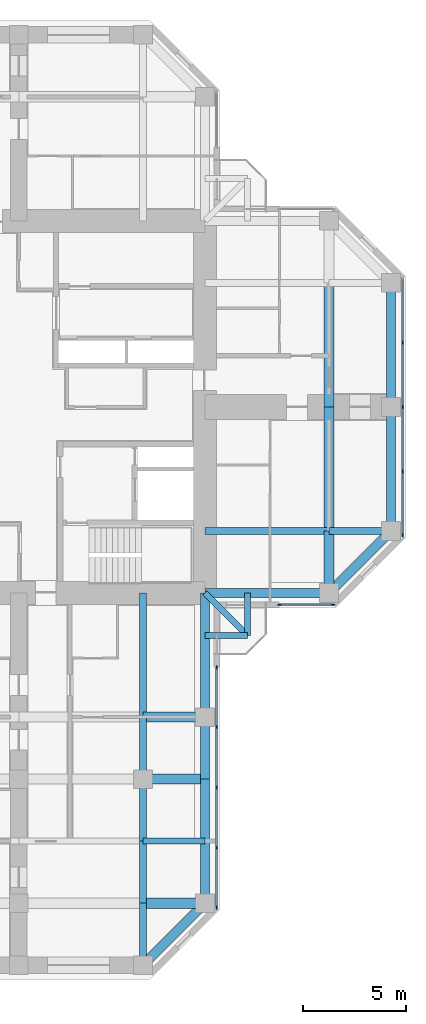
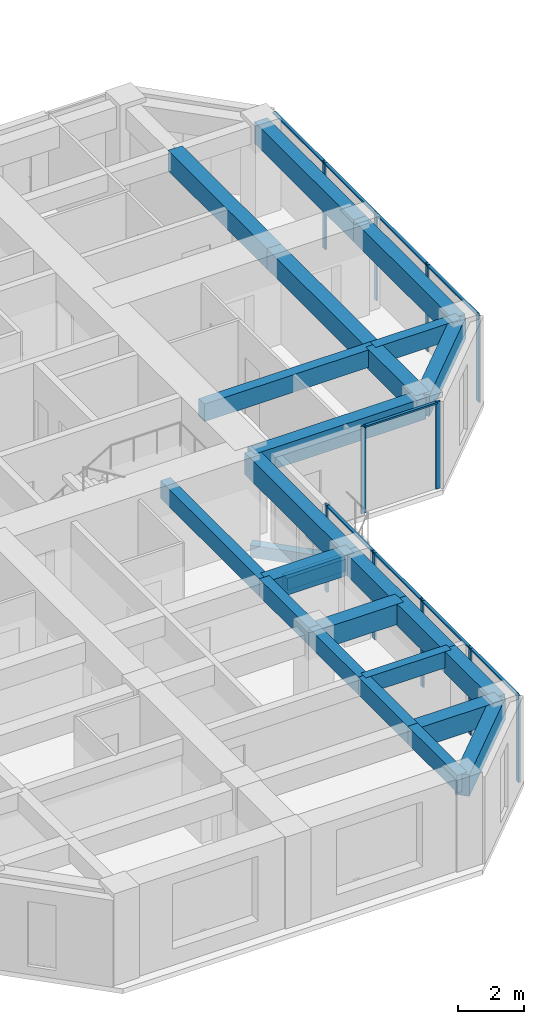
# One storey, part 4 of 14: 26 beams, 20 members, 3 elements without a shape of their own.
"""IFC4 building model written with IfcOpenShell, lengths in metres."""

import ifcopenshell
import ifcopenshell.guid

model = None  # the IFC model being written
_history = None  # IfcOwnerHistory: only IFC2X3 demands one
_inside = {}  # id of a spatial element -> (the spatial element, [elements in it])
_under = {}  # id of a project, library or spatial element -> (it, [spatial elements below it])
_declared = {}  # id of a project -> (the project, [libraries it declares])
_typed = {}  # id of a type object -> (the type object, [elements of that type])
_made_of = {}  # id of a material, layer set ... -> (it, [elements and type objects made of it])


def new_model(schema):
    """Start an empty IFC model of exactly this schema.

    Asked for "IFC4X3", IfcOpenShell would pick the latest addendum, in which some entities
    have other attributes; the version numbers below select the first issue.
    IFC2X3 requires an IfcOwnerHistory on every rooted entity: one is made here for all.
    """
    global model, _history
    if schema == "IFC4X3":
        model = ifcopenshell.file(schema_version=(4, 3, 0, 0))
    else:
        model = ifcopenshell.file(schema=schema)
    _inside.clear()
    _under.clear()
    _declared.clear()
    _typed.clear()
    _made_of.clear()
    _history = None
    if model.schema == "IFC2X3":
        org = make("IfcOrganization", Name="unknown")
        user = make(
            "IfcPersonAndOrganization",
            ThePerson=make("IfcPerson", FamilyName="unknown"),
            TheOrganization=org,
        )
        app = make(
            "IfcApplication",
            ApplicationDeveloper=org,
            Version="unknown",
            ApplicationFullName="unknown",
            ApplicationIdentifier="unknown",
        )
        _history = make(
            "IfcOwnerHistory",
            OwningUser=user,
            OwningApplication=app,
            ChangeAction="ADDED",
            CreationDate=0,
        )
    return model


def make(cls, **values):
    """One entity of the class cls with the attributes given. An attribute that is None is left unset."""
    return model.create_entity(
        cls, **{name: value for name, value in values.items() if value is not None}
    )


def rooted(cls, **values):
    """An entity with a GlobalId (a new one), such as an element, a storey or a relation."""
    return make(cls, GlobalId=ifcopenshell.guid.new(), OwnerHistory=_history, **values)


def si_unit(unit_type, name, prefix=None):
    """IfcSIUnit, for example si_unit("LENGTHUNIT", "METRE", prefix="MILLI")."""
    return make("IfcSIUnit", UnitType=unit_type, Prefix=prefix, Name=name)


def assignment(units):
    """IfcUnitAssignment: the units of a project."""
    return None if units is None else make("IfcUnitAssignment", Units=units)


def point(xyz):
    """IfcCartesianPoint."""
    return None if xyz is None else make("IfcCartesianPoint", Coordinates=xyz)


def direction(xyz):
    """IfcDirection."""
    return None if xyz is None else make("IfcDirection", DirectionRatios=xyz)


def frame(location, z_axis=None, x_axis=None):
    """IfcAxis2Placement3D, a coordinate frame: its origin and axes. An axis left out is left unset."""
    return make(
        "IfcAxis2Placement3D",
        Location=point(location),
        Axis=direction(z_axis),
        RefDirection=direction(x_axis),
    )


def frame_2d(location, x_axis=None):
    """IfcAxis2Placement2D, a coordinate frame in the plane: its origin and x axis."""
    return make(
        "IfcAxis2Placement2D", Location=point(location), RefDirection=direction(x_axis)
    )


def origin():
    """The frame at (0, 0, 0) with its axes left unset."""
    return frame((0.0, 0.0, 0.0))


def origin_2d():
    """The frame at (0, 0) in the plane with its x axis left unset."""
    return frame_2d((0.0, 0.0))


def place(relative_to, where):
    """IfcLocalPlacement: puts the frame where relative to a parent placement (None: the world)."""
    return make(
        "IfcLocalPlacement", PlacementRelTo=relative_to, RelativePlacement=where
    )


def context(
    kind, dimensions, precision=None, world=None, true_north=None, identifier=None
):
    """IfcGeometricRepresentationContext, for example the 3D "Model" context."""
    return make(
        "IfcGeometricRepresentationContext",
        ContextIdentifier=identifier,
        ContextType=kind,
        CoordinateSpaceDimension=dimensions,
        Precision=precision,
        WorldCoordinateSystem=world,
        TrueNorth=true_north,
    )


def subcontext(parent, identifier, kind, view, scale=None):
    """IfcGeometricRepresentationSubContext, for example "Body" below "Model"."""
    return make(
        "IfcGeometricRepresentationSubContext",
        ContextIdentifier=identifier,
        ContextType=kind,
        ParentContext=parent,
        TargetScale=scale,
        TargetView=view,
    )


def project(units=None, contexts=None):
    """IfcProject with its units and contexts."""
    return rooted(
        "IfcProject",
        Name="project",
        RepresentationContexts=contexts,
        UnitsInContext=assignment(units),
    )


def spatial(cls, under=None, at=None, **own):
    """A site, building, storey or space (cls), placed at a placement, below another one or the project."""
    s = rooted(cls, ObjectPlacement=at, **own)
    if under is not None:
        _under.setdefault(under.id(), (under, []))[1].append(s)
    return s


def profile(cls, at=None, kind="AREA", **sizes):
    """A parametric profile (cls). Its sizes go by their IFC names, for example OverallWidth=200.0."""
    return make(cls, ProfileType=kind, Position=at, **sizes)


def rectangle(**sizes):
    """IfcRectangleProfileDef."""
    return profile("IfcRectangleProfileDef", **sizes)


def extrude(swept, where, along, depth):
    """IfcExtrudedAreaSolid: the profile swept, set in the frame where, extruded along a direction by depth."""
    return make(
        "IfcExtrudedAreaSolid",
        SweptArea=swept,
        Position=where,
        ExtrudedDirection=direction(along),
        Depth=depth,
    )


def shape(context_of_items, identifier, shape_type, items):
    """IfcShapeRepresentation: the items that make up one representation, for example the "Body"."""
    return make(
        "IfcShapeRepresentation",
        ContextOfItems=context_of_items,
        RepresentationIdentifier=identifier,
        RepresentationType=shape_type,
        Items=items,
    )


def material(Name=None, Category=None):
    """IfcMaterial."""
    return make("IfcMaterial", Name=Name, Category=Category)


def material_profile(
    of_material, cross_section, Name=None, Category=None, Priority=None
):
    """IfcMaterialProfile: a cross section and its material."""
    return make(
        "IfcMaterialProfile",
        Name=Name,
        Material=of_material,
        Profile=cross_section,
        Priority=Priority,
        Category=Category,
    )


def profile_set(profiles, Name=None, composite=None):
    """IfcMaterialProfileSet."""
    return make(
        "IfcMaterialProfileSet",
        Name=Name,
        MaterialProfiles=profiles,
        CompositeProfile=composite,
    )


def made_of(thing, what):
    """Note that an element or type object is made of a material, layer set ...; save() writes the relation."""
    if what is not None:
        _made_of.setdefault(what.id(), (what, []))[1].append(thing)
    return thing


def type_object(cls, material=None, **own):
    """A type object (cls), such as IfcWallType, which elements share."""
    return made_of(rooted(cls, **own), material)


def element(
    cls,
    number,
    at=None,
    inside=None,
    cuts=None,
    type_object=None,
    material=None,
    context=None,
    identifier="Body",
    shape_type=None,
    held_by="IfcProductDefinitionShape",
    body=None,
    shapes=None,
    **own,
):
    """One element of the class cls, such as IfcWall. Its Tag is "e" and its number.

    at: its placement. inside: the storey or other place that contains it. cuts: it is an
    opening in that element (IfcRelVoidsElement). A single representation is given by context,
    identifier, shape_type and body (its items); several are given by shapes. held_by: the class
    of the entity that holds the representations. save() writes the other relations.
    """
    e = rooted(cls, Tag="e%d" % number, ObjectPlacement=at, **own)
    if body is not None:
        shapes = [shape(context, identifier, shape_type, body)]
    if shapes is not None:
        e.Representation = make(held_by, Representations=shapes)
    if inside is not None:
        _inside.setdefault(inside.id(), (inside, []))[1].append(e)
    if cuts is not None:
        rooted(
            "IfcRelVoidsElement", RelatingBuildingElement=cuts, RelatedOpeningElement=e
        )
    if type_object is not None:
        _typed.setdefault(type_object.id(), (type_object, []))[1].append(e)
    return made_of(e, material)


def aggregate(whole, parts):
    """IfcRelAggregates: a whole, such as a stair, and the parts it consists of."""
    return rooted("IfcRelAggregates", RelatingObject=whole, RelatedObjects=parts)


def save(model, path):
    """Write the relations noted so far, then the file.

    IfcRelAggregates (storeys below a building ...), IfcRelContainedInSpatialStructure (elements
    in a storey), IfcRelDefinesByType, IfcRelAssociatesMaterial and IfcRelDeclares: one each for
    every whole, place, type object, material and project.
    """
    for whole, parts in _under.values():
        aggregate(whole, parts)
    for where, things in _inside.values():
        rooted(
            "IfcRelContainedInSpatialStructure",
            RelatedElements=things,
            RelatingStructure=where,
        )
    for kind, things in _typed.values():
        rooted("IfcRelDefinesByType", RelatedObjects=things, RelatingType=kind)
    for what, things in _made_of.values():
        rooted("IfcRelAssociatesMaterial", RelatedObjects=things, RelatingMaterial=what)
    for by, libraries in _declared.values():
        rooted("IfcRelDeclares", RelatingContext=by, RelatedDefinitions=libraries)
    model.write(path)


model = new_model("IFC4")

# Units and contexts
model_context = context("Model", 3, precision=1e-05, world=origin(), true_north=direction((0.0, 1.0)))
body_context = subcontext(model_context, "Body", "Model", "MODEL_VIEW")
ifc_project = project(units=[si_unit("LENGTHUNIT", "METRE"), si_unit("AREAUNIT", "SQUARE_METRE"), si_unit("VOLUMEUNIT", "CUBIC_METRE"), si_unit("PLANEANGLEUNIT", "RADIAN"), si_unit("MASSUNIT", "GRAM", prefix="KILO")], contexts=[model_context])

# Site, building, storey
site_placement = place(None, origin())
site = spatial("IfcSite", under=ifc_project, at=site_placement, CompositionType="ELEMENT")
building_placement = place(site_placement, origin())
building = spatial("IfcBuilding", under=site, at=building_placement, Name="Torre Cruceta", CompositionType="ELEMENT")
storey_placement = place(building_placement, frame((0.0, 0.0, 183.10009765625)))
storey = spatial("IfcBuildingStorey", under=building, at=storey_placement, Name="L45", CompositionType="ELEMENT", Elevation=183.10009765625)

# Beams
ifc_material_1 = material(Name="Concrete G60 (fck 60 MPa)", Category="concrete")
ifc_material_profile_1 = material_profile(ifc_material_1, rectangle(XDim=0.300048828125, YDim=0.449951171875, at=origin_2d()), Name="RC 300X450")
ifc_profile_set_1 = profile_set([ifc_material_profile_1], Name="Concrete G60 (fck 60 MPa)")
beam_type_1 = type_object("IfcBeamType", Name="BALCONY CANTILEVER BEAM RC 300X450", PredefinedType="BEAM", material=ifc_profile_set_1)
beam_1_placement = place(storey_placement, frame((9.0, -9.0, -0.405029296875), z_axis=(0.707106781187, -0.707106781187, 0.0), x_axis=(0.707106781187, 0.707106781187, 0.0)))
element("IfcBeam", 1, at=beam_1_placement, inside=storey, type_object=beam_type_1, Name="BB1 balcony beam L45 S", PredefinedType="BEAM", context=body_context, shape_type="SweptSolid", body=[
    extrude(rectangle(XDim=0.300048828125, YDim=0.449951171875, at=origin_2d()), origin(), (0.0, 0.0, 1.0), 2.89990234375),
])
for number, where, z_axis, x_axis, name in (
    (2, (11.050537109375, -9.0, -0.405029296875), (0.0, -1.0, 0.0), (1.0, 0.0, 0.0), "BB1 balcony edge beam L45 S-X"),
    (3, (9.0, -11.050537109375, -0.405029296875), (1.0, 0.0, 0.0), (0.0, 1.0, 0.0), "BB1 balcony edge beam L45 S-Y"),
):
    element("IfcBeam", number, at=place(storey_placement, frame(where, z_axis=z_axis, x_axis=x_axis)), inside=storey, type_object=beam_type_1, Name=name, PredefinedType="BEAM", context=body_context, shape_type="SweptSolid", body=[
        extrude(rectangle(XDim=0.300048828125, YDim=0.449951171875, at=origin_2d()), origin(), (0.0, 0.0, 1.0), 2.050537109375),
    ])
ifc_material_2 = material(Name="Concrete G60 (fck 60 MPa)", Category="concrete")
ifc_material_profile_2 = material_profile(ifc_material_2, rectangle(XDim=0.35009765625, YDim=0.64990234375, at=origin_2d()), Name="RC 350X650")
ifc_profile_set_2 = profile_set([ifc_material_profile_2], Name="Concrete G60 (fck 60 MPa)")
beam_type_2 = type_object("IfcBeamType", Name="COLUMN LINE BEAM RC 350X650", PredefinedType="BEAM", material=ifc_profile_set_2)
beam_2_placement = place(storey_placement, frame((9.0, -6.0, 2.89501953125), z_axis=(1.0, 0.0, 0.0), x_axis=(0.0, 1.0, 0.0)))
element("IfcBeam", 4, at=beam_2_placement, inside=storey, type_object=beam_type_2, Name="LB7 L45 E col- 1", PredefinedType="BEAM", context=body_context, shape_type="SweptSolid", body=[
    extrude(rectangle(XDim=0.35009765625, YDim=0.64990234375, at=origin_2d()), origin(), (0.0, 0.0, 1.0), 6.0),
])
beam_3_placement = place(storey_placement, frame((15.0, -6.0, 2.89501953125), z_axis=(1.0, 0.0, 0.0), x_axis=(0.0, 1.0, 0.0)))
element("IfcBeam", 5, at=beam_3_placement, inside=storey, type_object=beam_type_2, Name="LB7 L45 E col- 2", PredefinedType="BEAM", context=body_context, shape_type="SweptSolid", body=[
    extrude(rectangle(XDim=0.35009765625, YDim=0.64990234375, at=origin_2d()), origin(), (0.0, 0.0, 1.0), 3.0),
])
beam_4_placement = place(storey_placement, frame((6.0, -9.0, 2.89501953125), z_axis=(0.0, -1.0, 0.0), x_axis=(1.0, 0.0, 0.0)))
element("IfcBeam", 6, at=beam_4_placement, inside=storey, type_object=beam_type_2, Name="LB7 L45 S col+ 1", PredefinedType="BEAM", context=body_context, shape_type="SweptSolid", body=[
    extrude(rectangle(XDim=0.35009765625, YDim=0.64990234375, at=origin_2d()), origin(), (0.0, 0.0, 1.0), 6.0),
])
for number, where, z_axis, x_axis, name in (
    (7, (6.0, -15.0, 2.89501953125), (0.0, -1.0, 0.0), (1.0, 0.0, 0.0), "LB7 L45 S col+ 2"),
    (8, (6.0, -18.0, 2.89501953125), (0.0, -1.0, 0.0), (1.0, 0.0, 0.0), "LB7 L45 S col+ 3"),
    (9, (6.0, -21.0, 2.89501953125), (0.0, -1.0, 0.0), (1.0, 0.0, 0.0), "LB7 L45 S col+ 4"),
    (10, (6.0, -24.0, 2.89501953125), (0.0, -1.0, 0.0), (1.0, 0.0, 0.0), "LB7 L45 S col+ 5"),
):
    element("IfcBeam", number, at=place(storey_placement, frame(where, z_axis=z_axis, x_axis=x_axis)), inside=storey, type_object=beam_type_2, Name=name, PredefinedType="BEAM", context=body_context, shape_type="SweptSolid", body=[
        extrude(rectangle(XDim=0.35009765625, YDim=0.64990234375, at=origin_2d()), origin(), (0.0, 0.0, 1.0), 3.0),
    ])
ifc_material_3 = material(Name="Concrete G60 (fck 60 MPa)", Category="concrete")
ifc_material_profile_3 = material_profile(ifc_material_3, rectangle(XDim=0.5, YDim=0.75, at=origin_2d()), Name="RC 500X750")
ifc_profile_set_3 = profile_set([ifc_material_profile_3], Name="Concrete G60 (fck 60 MPa)")
beam_type_3 = type_object("IfcBeamType", Name="CROSS BEAM RC 500X750", PredefinedType="BEAM", material=ifc_profile_set_3)
beam_5_placement = place(storey_placement, frame((15.0, -9.0, 2.844970703125), z_axis=(0.0, 1.0, 0.0), x_axis=(-1.0, 0.0, 0.0)))
element("IfcBeam", 11, at=beam_5_placement, inside=storey, type_object=beam_type_3, Name="GB6 L45 E cross15 1", PredefinedType="BEAM", context=body_context, shape_type="SweptSolid", body=[
    extrude(rectangle(XDim=0.5, YDim=0.75, at=origin_2d()), origin(), (0.0, 0.0, 1.0), 3.0),
])
for number, where, z_axis, x_axis, name in (
    (12, (15.0, -6.0, 2.844970703125), (0.0, 1.0, 0.0), (-1.0, 0.0, 0.0), "GB6 L45 E cross15 2"),
    (13, (15.0, 0.0, 2.844970703125), (0.0, 1.0, 0.0), (-1.0, 0.0, 0.0), "GB6 L45 E cross15 3"),
):
    element("IfcBeam", number, at=place(storey_placement, frame(where, z_axis=z_axis, x_axis=x_axis)), inside=storey, type_object=beam_type_3, Name=name, PredefinedType="BEAM", context=body_context, shape_type="SweptSolid", body=[
        extrude(rectangle(XDim=0.5, YDim=0.75, at=origin_2d()), origin(), (0.0, 0.0, 1.0), 6.0),
    ])
for number, where, z_axis, x_axis, name in (
    (14, (6.0, -15.0, 2.844970703125), (1.0, 0.0, 0.0), (0.0, 1.0, 0.0), "GB6 L45 S cross15 4"),
    (15, (6.0, -18.0, 2.844970703125), (1.0, 0.0, 0.0), (0.0, 1.0, 0.0), "GB6 L45 S cross18 4"),
    (16, (6.0, -24.0, 2.844970703125), (1.0, 0.0, 0.0), (0.0, 1.0, 0.0), "GB6 L45 S cross24 4"),
):
    element("IfcBeam", number, at=place(storey_placement, frame(where, z_axis=z_axis, x_axis=x_axis)), inside=storey, type_object=beam_type_3, Name=name, PredefinedType="BEAM", context=body_context, shape_type="SweptSolid", body=[
        extrude(rectangle(XDim=0.5, YDim=0.75, at=origin_2d()), origin(), (0.0, 0.0, 1.0), 3.0),
    ])

# Curtain wall, members
ifc_material_4 = material(Name="Aluminium unitised curtain wall", Category="aluminium")
curtain_wall_type = type_object("IfcCurtainWallType", Name="CURTAIN WALL CW-C CO-LIVING", PredefinedType="USERDEFINED", material=ifc_material_4)
curtain_wall_1_placement = place(storey_placement, origin())
curtain_wall_1 = element("IfcCurtainWall", 17, at=curtain_wall_1_placement, inside=storey, type_object=curtain_wall_type, Name="CW-C L45 E side 00", ObjectType="UNITISED", PredefinedType="USERDEFINED")
ifc_material_5 = material(Name="Aluminium mullion", Category="aluminium")
ifc_material_profile_4 = material_profile(ifc_material_5, rectangle(XDim=0.06005859375, YDim=0.159912109375, at=origin_2d()), Name="AL 60X160")
ifc_profile_set_4 = profile_set([ifc_material_profile_4], Name="Aluminium mullion")
member_type_1 = type_object("IfcMemberType", Name="CW-C MULLION 60X160", PredefinedType="MULLION", material=ifc_profile_set_4)
member_1_placement = place(storey_placement, frame((12.60009765625, -9.570068359375, 0.0), z_axis=(0.0, 0.0, 1.0), x_axis=(0.0, 1.0, 0.0)))
member_1 = element("IfcMember", 18, at=member_1_placement, type_object=member_type_1, Name="CW-C mullion 1", PredefinedType="MULLION", context=body_context, shape_type="SweptSolid", body=[
    extrude(rectangle(XDim=0.06005859375, YDim=0.159912109375, at=origin_2d()), origin(), (0.0, 0.0, 1.0), 3.219970703125),
])
member_2_placement = place(storey_placement, frame((15.2060546875, -9.570068359375, 0.0), z_axis=(0.0, 0.0, 1.0), x_axis=(0.0, 1.0, 0.0)))
member_2 = element("IfcMember", 19, at=member_2_placement, type_object=member_type_1, Name="CW-C mullion 2", PredefinedType="MULLION", context=body_context, shape_type="SweptSolid", body=[
    extrude(rectangle(XDim=0.06005859375, YDim=0.159912109375, at=origin_2d()), origin(), (0.0, 0.0, 1.0), 3.219970703125),
])

curtain_wall_2_placement = place(storey_placement, origin())
curtain_wall_2 = element("IfcCurtainWall", 20, at=curtain_wall_2_placement, inside=storey, type_object=curtain_wall_type, Name="CW-C L45 E tip 02", ObjectType="UNITISED", PredefinedType="USERDEFINED")
member_3_placement = place(storey_placement, frame((18.570068359375, -6.2060546875, 0.0), z_axis=(0.0, 0.0, 1.0), x_axis=(-1.0, 0.0, 0.0)))
member_3 = element("IfcMember", 21, at=member_3_placement, type_object=member_type_1, Name="CW-C mullion 1", PredefinedType="MULLION", context=body_context, shape_type="SweptSolid", body=[
    extrude(rectangle(XDim=0.06005859375, YDim=0.159912109375, at=origin_2d()), origin(), (0.0, 0.0, 1.0), 3.219970703125),
])
member_4_placement = place(storey_placement, frame((18.570068359375, -3.1181640625, 0.0), z_axis=(0.0, 0.0, 1.0), x_axis=(-1.0, 0.0, 0.0)))
member_4 = element("IfcMember", 22, at=member_4_placement, type_object=member_type_1, Name="CW-C mullion 2", PredefinedType="MULLION", context=body_context, shape_type="SweptSolid", body=[
    extrude(rectangle(XDim=0.06005859375, YDim=0.159912109375, at=origin_2d()), origin(), (0.0, 0.0, 1.0), 3.219970703125),
])
member_5_placement = place(storey_placement, frame((18.570068359375, 0.0, 0.0), z_axis=(0.0, 0.0, 1.0), x_axis=(-1.0, 0.0, 0.0)))
member_5 = element("IfcMember", 23, at=member_5_placement, type_object=member_type_1, Name="CW-C mullion 3", PredefinedType="MULLION", context=body_context, shape_type="SweptSolid", body=[
    extrude(rectangle(XDim=0.06005859375, YDim=0.159912109375, at=origin_2d()), origin(), (0.0, 0.0, 1.0), 3.219970703125),
])
member_6_placement = place(storey_placement, frame((18.570068359375, 3.1181640625, 0.0), z_axis=(0.0, 0.0, 1.0), x_axis=(-1.0, 0.0, 0.0)))
member_6 = element("IfcMember", 24, at=member_6_placement, type_object=member_type_1, Name="CW-C mullion 4", PredefinedType="MULLION", context=body_context, shape_type="SweptSolid", body=[
    extrude(rectangle(XDim=0.06005859375, YDim=0.159912109375, at=origin_2d()), origin(), (0.0, 0.0, 1.0), 3.219970703125),
])

curtain_wall_3_placement = place(storey_placement, origin())
curtain_wall_3 = element("IfcCurtainWall", 25, at=curtain_wall_3_placement, inside=storey, type_object=curtain_wall_type, Name="CW-C L45 S side 19", ObjectType="UNITISED", PredefinedType="USERDEFINED")
member_7_placement = place(storey_placement, frame((9.570068359375, -24.2060546875, 0.0), z_axis=(0.0, 0.0, 1.0), x_axis=(-1.0, 0.0, 0.0)))
member_7 = element("IfcMember", 26, at=member_7_placement, type_object=member_type_1, Name="CW-C mullion 1", PredefinedType="MULLION", context=body_context, shape_type="SweptSolid", body=[
    extrude(rectangle(XDim=0.06005859375, YDim=0.159912109375, at=origin_2d()), origin(), (0.0, 0.0, 1.0), 3.219970703125),
])
member_8_placement = place(storey_placement, frame((9.570068359375, -21.319580078125, 0.0), z_axis=(0.0, 0.0, 1.0), x_axis=(-1.0, 0.0, 0.0)))
member_8 = element("IfcMember", 27, at=member_8_placement, type_object=member_type_1, Name="CW-C mullion 2", PredefinedType="MULLION", context=body_context, shape_type="SweptSolid", body=[
    extrude(rectangle(XDim=0.06005859375, YDim=0.159912109375, at=origin_2d()), origin(), (0.0, 0.0, 1.0), 3.219970703125),
])
member_9_placement = place(storey_placement, frame((9.570068359375, -18.403076171875, 0.0), z_axis=(0.0, 0.0, 1.0), x_axis=(-1.0, 0.0, 0.0)))
member_9 = element("IfcMember", 28, at=member_9_placement, type_object=member_type_1, Name="CW-C mullion 3", PredefinedType="MULLION", context=body_context, shape_type="SweptSolid", body=[
    extrude(rectangle(XDim=0.06005859375, YDim=0.159912109375, at=origin_2d()), origin(), (0.0, 0.0, 1.0), 3.219970703125),
])
member_10_placement = place(storey_placement, frame((9.570068359375, -15.486572265625, 0.0), z_axis=(0.0, 0.0, 1.0), x_axis=(-1.0, 0.0, 0.0)))
member_10 = element("IfcMember", 29, at=member_10_placement, type_object=member_type_1, Name="CW-C mullion 4", PredefinedType="MULLION", context=body_context, shape_type="SweptSolid", body=[
    extrude(rectangle(XDim=0.06005859375, YDim=0.159912109375, at=origin_2d()), origin(), (0.0, 0.0, 1.0), 3.219970703125),
])
member_11_placement = place(storey_placement, frame((9.570068359375, -12.60009765625, 0.0), z_axis=(0.0, 0.0, 1.0), x_axis=(-1.0, 0.0, 0.0)))
member_11 = element("IfcMember", 30, at=member_11_placement, type_object=member_type_1, Name="CW-C mullion 5", PredefinedType="MULLION", context=body_context, shape_type="SweptSolid", body=[
    extrude(rectangle(XDim=0.06005859375, YDim=0.159912109375, at=origin_2d()), origin(), (0.0, 0.0, 1.0), 3.219970703125),
])

# Member
ifc_material_6 = material(Name="Aluminium transom", Category="aluminium")
ifc_material_profile_5 = material_profile(ifc_material_6, rectangle(XDim=0.10009765625, YDim=0.06005859375, at=origin_2d()), Name="AL 100X60")
ifc_profile_set_5 = profile_set([ifc_material_profile_5], Name="Aluminium transom")
member_type_2 = type_object("IfcMemberType", Name="CW-C TRANSOM 60X100", PredefinedType="USERDEFINED", material=ifc_profile_set_5)
member_12_placement = place(storey_placement, frame((12.6298828125, -9.570068359375, 3.18994140625), z_axis=(1.0, 0.0, 0.0), x_axis=(0.0, 1.0, 0.0)))
member_12 = element("IfcMember", 31, at=member_12_placement, type_object=member_type_2, Name="CW-C transom 1", ObjectType="TRANSOM", PredefinedType="USERDEFINED", context=body_context, shape_type="SweptSolid", body=[
    extrude(rectangle(XDim=0.10009765625, YDim=0.06005859375, at=origin_2d()), origin(), (0.0, 0.0, 1.0), 2.546142578125),
])

aggregate(curtain_wall_1, [member_1, member_2, member_12])

member_13_placement = place(storey_placement, frame((18.570068359375, -6.176025390625, 3.18994140625), z_axis=(0.0, 1.0, 0.0), x_axis=(-1.0, 0.0, 0.0)))
member_13 = element("IfcMember", 32, at=member_13_placement, type_object=member_type_2, Name="CW-C transom 1", ObjectType="TRANSOM", PredefinedType="USERDEFINED", context=body_context, shape_type="SweptSolid", body=[
    extrude(rectangle(XDim=0.10009765625, YDim=0.06005859375, at=origin_2d()), origin(), (0.0, 0.0, 1.0), 3.028076171875),
])

member_14_placement = place(storey_placement, frame((18.570068359375, -3.088134765625, 3.18994140625), z_axis=(0.0, 1.0, 0.0), x_axis=(-1.0, 0.0, 0.0)))
member_14 = element("IfcMember", 33, at=member_14_placement, type_object=member_type_2, Name="CW-C transom 2", ObjectType="TRANSOM", PredefinedType="USERDEFINED", context=body_context, shape_type="SweptSolid", body=[
    extrude(rectangle(XDim=0.10009765625, YDim=0.06005859375, at=origin_2d()), origin(), (0.0, 0.0, 1.0), 3.05810546875),
])

member_15_placement = place(storey_placement, frame((18.570068359375, 0.030029296875, 3.18994140625), z_axis=(0.0, 1.0, 0.0), x_axis=(-1.0, 0.0, 0.0)))
member_15 = element("IfcMember", 34, at=member_15_placement, type_object=member_type_2, Name="CW-C transom 3", ObjectType="TRANSOM", PredefinedType="USERDEFINED", context=body_context, shape_type="SweptSolid", body=[
    extrude(rectangle(XDim=0.10009765625, YDim=0.06005859375, at=origin_2d()), origin(), (0.0, 0.0, 1.0), 3.05810546875),
])

member_16_placement = place(storey_placement, frame((18.570068359375, 3.14794921875, 3.18994140625), z_axis=(0.0, 1.0, 0.0), x_axis=(-1.0, 0.0, 0.0)))
member_16 = element("IfcMember", 35, at=member_16_placement, type_object=member_type_2, Name="CW-C transom 4", ObjectType="TRANSOM", PredefinedType="USERDEFINED", context=body_context, shape_type="SweptSolid", body=[
    extrude(rectangle(XDim=0.10009765625, YDim=0.06005859375, at=origin_2d()), origin(), (0.0, 0.0, 1.0), 3.028076171875),
])

aggregate(curtain_wall_2, [member_3, member_4, member_5, member_6, member_13, member_14, member_15, member_16])

member_17_placement = place(storey_placement, frame((9.570068359375, -24.176025390625, 3.18994140625), z_axis=(0.0, 1.0, 0.0), x_axis=(-1.0, 0.0, 0.0)))
member_17 = element("IfcMember", 36, at=member_17_placement, type_object=member_type_2, Name="CW-C transom 1", ObjectType="TRANSOM", PredefinedType="USERDEFINED", context=body_context, shape_type="SweptSolid", body=[
    extrude(rectangle(XDim=0.10009765625, YDim=0.06005859375, at=origin_2d()), origin(), (0.0, 0.0, 1.0), 2.826416015625),
])

member_18_placement = place(storey_placement, frame((9.570068359375, -21.28955078125, 3.18994140625), z_axis=(0.0, 1.0, 0.0), x_axis=(-1.0, 0.0, 0.0)))
member_18 = element("IfcMember", 37, at=member_18_placement, type_object=member_type_2, Name="CW-C transom 2", ObjectType="TRANSOM", PredefinedType="USERDEFINED", context=body_context, shape_type="SweptSolid", body=[
    extrude(rectangle(XDim=0.10009765625, YDim=0.06005859375, at=origin_2d()), origin(), (0.0, 0.0, 1.0), 2.8564453125),
])

member_19_placement = place(storey_placement, frame((9.570068359375, -18.373046875, 3.18994140625), z_axis=(0.0, 1.0, 0.0), x_axis=(-1.0, 0.0, 0.0)))
member_19 = element("IfcMember", 38, at=member_19_placement, type_object=member_type_2, Name="CW-C transom 3", ObjectType="TRANSOM", PredefinedType="USERDEFINED", context=body_context, shape_type="SweptSolid", body=[
    extrude(rectangle(XDim=0.10009765625, YDim=0.06005859375, at=origin_2d()), origin(), (0.0, 0.0, 1.0), 2.8564453125),
])

member_20_placement = place(storey_placement, frame((9.570068359375, -15.45654296875, 3.18994140625), z_axis=(0.0, 1.0, 0.0), x_axis=(-1.0, 0.0, 0.0)))
member_20 = element("IfcMember", 39, at=member_20_placement, type_object=member_type_2, Name="CW-C transom 4", ObjectType="TRANSOM", PredefinedType="USERDEFINED", context=body_context, shape_type="SweptSolid", body=[
    extrude(rectangle(XDim=0.10009765625, YDim=0.06005859375, at=origin_2d()), origin(), (0.0, 0.0, 1.0), 2.82666015625),
])

aggregate(curtain_wall_3, [member_7, member_8, member_9, member_10, member_11, member_17, member_18, member_19, member_20])

# Beams
ifc_material_7 = material(Name="Concrete G60 (fck 60 MPa)", Category="concrete")
ifc_material_profile_6 = material_profile(ifc_material_7, rectangle(XDim=0.300048828125, YDim=0.60009765625, at=origin_2d()), Name="RC 300X600")
ifc_profile_set_6 = profile_set([ifc_material_profile_6], Name="Concrete G60 (fck 60 MPa)")
beam_type_4 = type_object("IfcBeamType", Name="SECONDARY BEAM RC 300X600", PredefinedType="JOIST", material=ifc_profile_set_6)
beam_6_placement = place(storey_placement, frame((6.0, -21.0, 2.919921875), z_axis=(1.0, 0.0, 0.0), x_axis=(0.0, 1.0, 0.0)))
element("IfcBeam", 40, at=beam_6_placement, inside=storey, type_object=beam_type_4, Name="JB6 L45 S sec21 4", PredefinedType="JOIST", context=body_context, shape_type="SweptSolid", body=[
    extrude(rectangle(XDim=0.300048828125, YDim=0.60009765625, at=origin_2d()), origin(), (0.0, 0.0, 1.0), 3.0),
])
ifc_material_8 = material(Name="Concrete G60 (fck 60 MPa)", Category="concrete")
ifc_material_profile_7 = material_profile(ifc_material_8, rectangle(XDim=0.449951171875, YDim=0.800048828125, at=origin_2d()), Name="RC 450X800")
ifc_profile_set_7 = profile_set([ifc_material_profile_7], Name="Concrete G60 (fck 60 MPa)")
beam_type_5 = type_object("IfcBeamType", Name="SPANDREL BEAM RC 450X800", PredefinedType="SPANDREL", material=ifc_profile_set_7)
beam_7_placement = place(storey_placement, frame((9.0, -9.0, 2.81982421875), z_axis=(1.0, 0.0, 0.0), x_axis=(0.0, 1.0, 0.0)))
element("IfcBeam", 41, at=beam_7_placement, inside=storey, type_object=beam_type_5, Name="SB6 L45 E side- 1", PredefinedType="SPANDREL", context=body_context, shape_type="SweptSolid", body=[
    extrude(rectangle(XDim=0.449951171875, YDim=0.800048828125, at=origin_2d()), origin(), (0.0, 0.0, 1.0), 6.0),
])
beam_8_placement = place(storey_placement, frame((15.0, -9.0, 2.81982421875), z_axis=(0.707106781187, 0.707106781187, 0.0), x_axis=(-0.707106781187, 0.707106781187, 0.0)))
element("IfcBeam", 42, at=beam_8_placement, inside=storey, type_object=beam_type_5, Name="SB6 L45 E side- 2", PredefinedType="SPANDREL", context=body_context, shape_type="SweptSolid", body=[
    extrude(rectangle(XDim=0.449951171875, YDim=0.800048828125, at=origin_2d()), origin(), (0.0, 0.0, 1.0), 4.24267578125),
])
for number, where, z_axis, x_axis, name in (
    (43, (18.0, -6.0, 2.81982421875), (0.0, 1.0, 0.0), (-1.0, 0.0, 0.0), "SB6 L45 E tip 1"),
    (44, (18.0, 0.0, 2.81982421875), (0.0, 1.0, 0.0), (-1.0, 0.0, 0.0), "SB6 L45 E tip 2"),
    (45, (9.0, -9.0, 2.81982421875), (0.0, -1.0, 0.0), (1.0, 0.0, 0.0), "SB6 L45 S side+ 1"),
):
    element("IfcBeam", number, at=place(storey_placement, frame(where, z_axis=z_axis, x_axis=x_axis)), inside=storey, type_object=beam_type_5, Name=name, PredefinedType="SPANDREL", context=body_context, shape_type="SweptSolid", body=[
        extrude(rectangle(XDim=0.449951171875, YDim=0.800048828125, at=origin_2d()), origin(), (0.0, 0.0, 1.0), 6.0),
    ])
for number, where, z_axis, x_axis, name in (
    (46, (9.0, -15.0, 2.81982421875), (0.0, -1.0, 0.0), (1.0, 0.0, 0.0), "SB6 L45 S side+ 2"),
    (47, (9.0, -18.0, 2.81982421875), (0.0, -1.0, 0.0), (1.0, 0.0, 0.0), "SB6 L45 S side+ 3"),
    (48, (9.0, -21.0, 2.81982421875), (0.0, -1.0, 0.0), (1.0, 0.0, 0.0), "SB6 L45 S side+ 4"),
):
    element("IfcBeam", number, at=place(storey_placement, frame(where, z_axis=z_axis, x_axis=x_axis)), inside=storey, type_object=beam_type_5, Name=name, PredefinedType="SPANDREL", context=body_context, shape_type="SweptSolid", body=[
        extrude(rectangle(XDim=0.449951171875, YDim=0.800048828125, at=origin_2d()), origin(), (0.0, 0.0, 1.0), 3.0),
    ])
beam_9_placement = place(storey_placement, frame((9.0, -24.0, 2.81982421875), z_axis=(-0.707106781187, -0.707106781187, 0.0), x_axis=(0.707106781187, -0.707106781187, 0.0)))
element("IfcBeam", 49, at=beam_9_placement, inside=storey, type_object=beam_type_5, Name="SB6 L45 S side+ 5", PredefinedType="SPANDREL", context=body_context, shape_type="SweptSolid", body=[
    extrude(rectangle(XDim=0.449951171875, YDim=0.800048828125, at=origin_2d()), origin(), (0.0, 0.0, 1.0), 4.24267578125),
])

save(model, "model.ifc")
